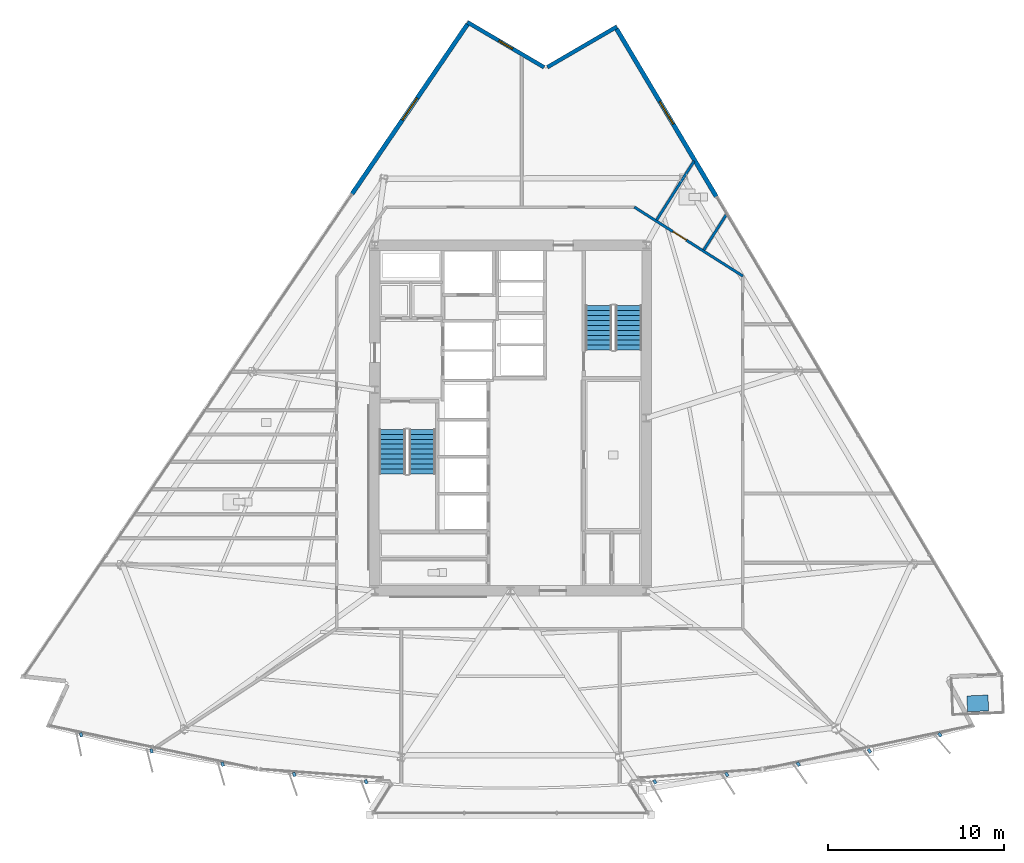
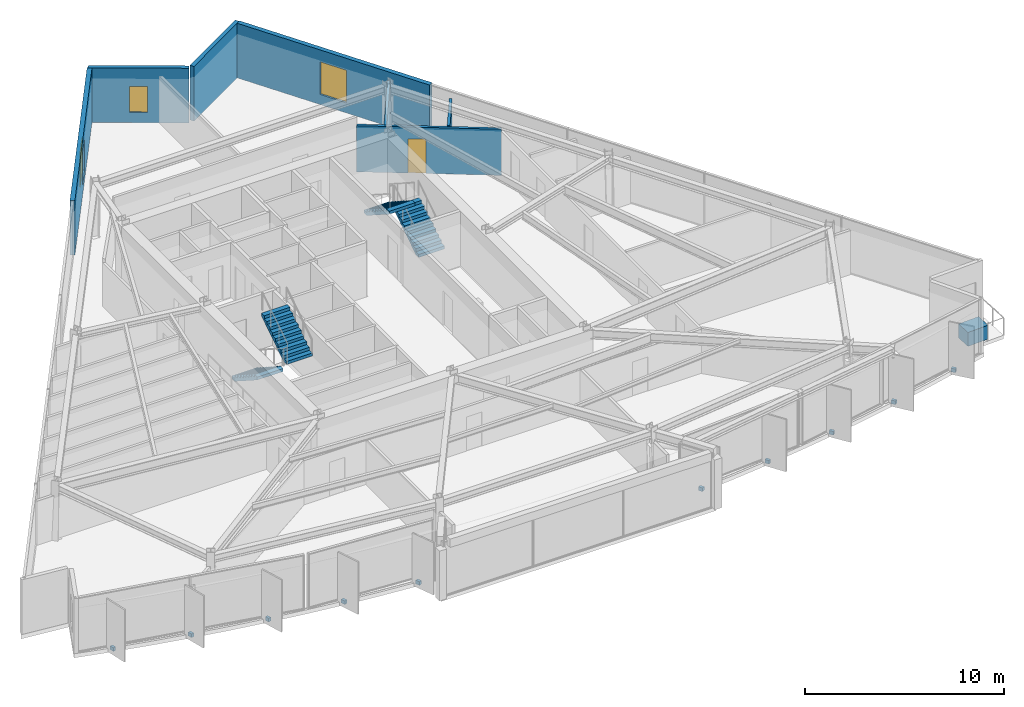
# One storey, part 10 of 15: 11 discrete accessories, 7 walls, 4 stair flights, 3 windows, 1 door, 4 openings, 2 elements without a shape of their own.
"""IFC4 building model written with IfcOpenShell, lengths in metres."""

from ifc_helpers import new_model, si_unit, direction, frame, frame_2d, origin, origin_2d, place, context, subcontext, project, spatial, polyline, rectangle, outline, extrude, material, layer, layer_set, type_object, element, fill, aggregate, save


model = new_model("IFC4")

# Units and contexts
model_context = context("Model", 3, precision=1e-05, world=origin(), true_north=direction((0.0, 1.0)))
body_context = subcontext(model_context, "Body", "Model", "MODEL_VIEW")
ifc_project = project(units=[si_unit("LENGTHUNIT", "METRE"), si_unit("AREAUNIT", "SQUARE_METRE"), si_unit("VOLUMEUNIT", "CUBIC_METRE"), si_unit("PLANEANGLEUNIT", "RADIAN"), si_unit("MASSUNIT", "GRAM", prefix="KILO")], contexts=[model_context])

# Site, building, storey
site_placement = place(None, origin())
site = spatial("IfcSite", under=ifc_project, at=site_placement, CompositionType="ELEMENT")
building_placement = place(site_placement, origin())
building = spatial("IfcBuilding", under=site, at=building_placement, Name="Savorim Split Tower", CompositionType="ELEMENT")
storey_placement = place(building_placement, frame((0.0, 0.0, 118.5)))
storey = spatial("IfcBuildingStorey", under=building, at=storey_placement, Name="L31", CompositionType="ELEMENT", Elevation=118.5)

# Wall
ifc_material_1 = material(Name="Precast concrete C40/50", Category="concrete")
ifc_layer_1 = layer(ifc_material_1, 0.219970703125)
ifc_layer_set_1 = layer_set([ifc_layer_1], Name="WAL-EXT-CRN220")
wall_type_1 = type_object("IfcWallType", Name="WAL-EXT-CRN220", PredefinedType="SOLIDWALL", material=ifc_layer_set_1)
wall_1_placement = place(storey_placement, frame((2.090087890625, 20.290771484375, 0.0), z_axis=(0.0, 0.0, 1.0), x_axis=(0.863978647835, 0.503528446153, 0.0)))
element("IfcWall", 1, at=wall_1_placement, inside=storey, type_object=wall_type_1, Name="L31 Notched Corner Facade Wall NE1", PredefinedType="SOLIDWALL", context=body_context, shape_type="SweptSolid", body=[
    extrude(rectangle(XDim=4.564453125, YDim=0.219970703125, at=frame_2d((2.2822265625, 0.0))), origin(), (0.0, 0.0, 1.0), 3.35009765625),
])

# Wall, opening, window
wall_2_placement = place(storey_placement, frame((-2.447021484375, 22.845703125, 0.0), z_axis=(0.0, 0.0, 1.0), x_axis=(0.8621357974, -0.506677280763, 0.0)))
wall_2 = element("IfcWall", 2, at=wall_2_placement, inside=storey, type_object=wall_type_1, Name="L31 Notched Corner Facade Wall N", PredefinedType="SOLIDWALL", context=body_context, shape_type="SweptSolid", body=[
    extrude(rectangle(XDim=5.0419921875, YDim=0.219970703125, at=frame_2d((2.52099609375, 0.0))), origin(), (0.0, 0.0, 1.0), 3.35009765625),
])
opening_1_placement = place(wall_2_placement, frame((2.071044921875, 0.0, 0.6201171875)))
opening_1 = element("IfcOpeningElement", 3, at=opening_1_placement, cuts=wall_2, Name="Opening WN-10", PredefinedType="OPENING", context=body_context, shape_type="SweptSolid", body=[
    extrude(rectangle(XDim=0.89990234375, YDim=1.60009765625, at=frame_2d((0.449951171875, 0.800048828125))), frame((0.0, 0.119873046875, 0.0), z_axis=(0.0, -1.0, 0.0), x_axis=(1.0, 0.0, 0.0)), (0.0, 0.0, 1.0), 0.239990234375),
])
ifc_material_2 = material(Name="Low-E Operable Double Glazing", Category="glass")
window_type_1 = type_object("IfcWindowType", Name="WIN-TWR-900x1600", PartitioningType="SINGLE_PANEL", PredefinedType="WINDOW", material=ifc_material_2)
window_1_placement = place(opening_1_placement, origin())
window_1 = element("IfcWindow", 4, at=window_1_placement, inside=storey, type_object=window_type_1, Name="L31 Operable Corner Window N", OverallHeight=1.60009765625, OverallWidth=0.89990234375, PartitioningType="SINGLE_PANEL", PredefinedType="WINDOW", context=body_context, shape_type="SweptSolid", body=[
    extrude(rectangle(XDim=0.89990234375, YDim=1.60009765625, at=frame_2d((0.449951171875, 0.800048828125))), frame((0.0, 0.030029296875, 0.0), z_axis=(0.0, -1.0, 0.0), x_axis=(1.0, 0.0, 0.0)), (0.0, 0.0, 1.0), 0.06005859375),
])
fill(opening_1, window_1)

ifc_layer_2 = layer(ifc_material_1, 0.25)
ifc_layer_set_2 = layer_set([ifc_layer_2], Name="WAL-EXT-SPN250")
wall_type_2 = type_object("IfcWallType", Name="WAL-EXT-SPN250", PredefinedType="SOLIDWALL", material=ifc_layer_set_2)
wall_3_placement = place(storey_placement, frame((6.01708984375, 22.46240234375, 0.0), z_axis=(0.0, 0.0, 1.0), x_axis=(0.511085523564, -0.859529864288, 0.0)))
wall_3 = element("IfcWall", 5, at=wall_3_placement, inside=storey, type_object=wall_type_2, Name="L31 East Operable Window Pier", PredefinedType="SOLIDWALL", context=body_context, shape_type="SweptSolid", body=[
    extrude(rectangle(XDim=11.067626953125, YDim=0.25, at=frame_2d((5.53369140625, 0.0))), origin(), (0.0, 0.0, 1.0), 3.35009765625),
])
opening_2_placement = place(wall_3_placement, frame((4.78369140625, 0.0, 0.6201171875)))
opening_2 = element("IfcOpeningElement", 6, at=opening_2_placement, cuts=wall_3, Name="Opening WN-06", PredefinedType="OPENING", context=body_context, shape_type="SweptSolid", body=[
    extrude(rectangle(XDim=1.5, YDim=2.0, at=frame_2d((0.75, 1.0))), frame((0.0, 0.135009765625, 0.0), z_axis=(0.0, -1.0, 0.0), x_axis=(1.0, 0.0, 0.0)), (0.0, 0.0, 1.0), 0.27001953125),
])
window_type_2 = type_object("IfcWindowType", Name="WIN-TWR-1500x2000", PartitioningType="SINGLE_PANEL", PredefinedType="WINDOW", material=ifc_material_2)
window_2_placement = place(opening_2_placement, origin())
window_2 = element("IfcWindow", 7, at=window_2_placement, inside=storey, type_object=window_type_2, Name="L31 East Operable Ventilation Window", OverallHeight=2.0, OverallWidth=1.5, PartitioningType="SINGLE_PANEL", PredefinedType="WINDOW", context=body_context, shape_type="SweptSolid", body=[
    extrude(rectangle(XDim=1.5, YDim=2.0, at=frame_2d((0.75, 1.0))), frame((0.0, 0.030029296875, 0.0), z_axis=(0.0, -1.0, 0.0), x_axis=(1.0, 0.0, 0.0)), (0.0, 0.0, 1.0), 0.06005859375),
])
fill(opening_2, window_2)

wall_4_placement = place(storey_placement, frame((-8.98388671875, 13.1083984375, 0.0), z_axis=(0.0, 0.0, 1.0), x_axis=(0.562459365703, 0.826824928225, 0.0)))
wall_4 = element("IfcWall", 8, at=wall_4_placement, inside=storey, type_object=wall_type_2, Name="L31 West Operable Window Pier", PredefinedType="SOLIDWALL", context=body_context, shape_type="SweptSolid", body=[
    extrude(rectangle(XDim=11.625, YDim=0.25, at=frame_2d((5.8125, 0.0))), origin(), (0.0, 0.0, 1.0), 3.35009765625),
])
opening_3_placement = place(wall_4_placement, frame((5.0625, 0.0, 0.6201171875)))
opening_3 = element("IfcOpeningElement", 9, at=opening_3_placement, cuts=wall_4, Name="Opening WN-06", PredefinedType="OPENING", context=body_context, shape_type="SweptSolid", body=[
    extrude(rectangle(XDim=1.5, YDim=2.0, at=frame_2d((0.75, 1.0))), frame((0.0, 0.135009765625, 0.0), z_axis=(0.0, -1.0, 0.0), x_axis=(1.0, 0.0, 0.0)), (0.0, 0.0, 1.0), 0.27001953125),
])
window_3_placement = place(opening_3_placement, origin())
window_3 = element("IfcWindow", 10, at=window_3_placement, inside=storey, type_object=window_type_2, Name="L31 West Operable Ventilation Window", OverallHeight=2.0, OverallWidth=1.5, PartitioningType="SINGLE_PANEL", PredefinedType="WINDOW", context=body_context, shape_type="SweptSolid", body=[
    extrude(rectangle(XDim=1.5, YDim=2.0, at=frame_2d((0.75, 1.0))), frame((0.0, 0.030029296875, 0.0), z_axis=(0.0, -1.0, 0.0), x_axis=(1.0, 0.0, 0.0)), (0.0, 0.0, 1.0), 0.06005859375),
])
fill(opening_3, window_3)

# Wall, opening, door
ifc_material_3 = material(Name="Acoustic Gypsum Partition Board")
ifc_layer_3 = layer(ifc_material_3, 0.14990234375)
ifc_layer_set_3 = layer_set([ifc_layer_3], Name="WAL-PAR-150")
wall_type_3 = type_object("IfcWallType", Name="WAL-PAR-150", PredefinedType="PARTITIONING", material=ifc_layer_set_3)
wall_5_placement = place(storey_placement, frame((7.023193359375, 12.360107421875, 0.0), z_axis=(0.0, 0.0, 1.0), x_axis=(0.84376480085, -0.536713108511, 0.0)))
wall_5 = element("IfcWall", 11, at=wall_5_placement, inside=storey, type_object=wall_type_3, Name="L31 Partition W-L31-COR-04", PredefinedType="PARTITIONING", context=body_context, shape_type="SweptSolid", body=[
    extrude(rectangle(XDim=7.296630859375, YDim=0.14990234375, at=frame_2d((3.6484375, 0.0))), origin(), (0.0, 0.0, 1.0), 2.824951171875),
])
opening_4_placement = place(wall_5_placement, frame((2.595458984375, 0.0, 0.0)))
opening_4 = element("IfcOpeningElement", 12, at=opening_4_placement, cuts=wall_5, Name="Opening DI-11", PredefinedType="OPENING", context=body_context, shape_type="SweptSolid", body=[
    extrude(rectangle(XDim=0.89990234375, YDim=2.10009765625, at=frame_2d((0.449951171875, 1.050048828125))), frame((0.0, 0.0849609375, 0.0), z_axis=(0.0, -1.0, 0.0), x_axis=(1.0, 0.0, 0.0)), (0.0, 0.0, 1.0), 0.169921875),
])
ifc_material_4 = material(Name="Oak Veneer Acoustic Door")
door_type = type_object("IfcDoorType", Name="DOR-WC-900", OperationType="NOTDEFINED", PredefinedType="DOOR", material=ifc_material_4)
door_placement = place(opening_4_placement, origin())
door = element("IfcDoor", 13, at=door_placement, inside=storey, type_object=door_type, Name="DR-L31-RM16 - L31 Shared Bathroom Entry Door", OperationType="SINGLE_SWING_LEFT", OverallHeight=2.10009765625, OverallWidth=0.89990234375, PredefinedType="DOOR", context=body_context, shape_type="SweptSolid", body=[
    extrude(rectangle(XDim=0.89990234375, YDim=2.10009765625, at=frame_2d((0.449951171875, 1.050048828125))), frame((0.0, 0.02490234375, 0.0), z_axis=(0.0, -1.0, 0.0), x_axis=(1.0, 0.0, 0.0)), (0.0, 0.0, 1.0), 0.050048828125),
])
fill(opening_4, door)

# Walls
wall_6_placement = place(storey_placement, frame((8.28759765625, 11.626953125, 0.0), z_axis=(0.0, 0.0, 1.0), x_axis=(0.536668135248, 0.843793406356, 0.0)))
element("IfcWall", 14, at=wall_6_placement, inside=storey, type_object=wall_type_3, Name="L31 Partition W-L31-PRAD07", PredefinedType="PARTITIONING", context=body_context, shape_type="SweptSolid", body=[
    extrude(rectangle(XDim=3.9619140625, YDim=0.14990234375, at=frame_2d((1.98095703125, 0.0))), origin(), (0.0, 0.0, 1.0), 2.824951171875),
])
wall_7_placement = place(storey_placement, frame((10.962890625, 9.92529296875, 0.0), z_axis=(0.0, 0.0, 1.0), x_axis=(0.536667979265, 0.843793505564, 0.0)))
element("IfcWall", 15, at=wall_7_placement, inside=storey, type_object=wall_type_3, Name="L31 Partition W-L31-SUB02", PredefinedType="PARTITIONING", context=body_context, shape_type="SweptSolid", body=[
    extrude(rectangle(XDim=2.360107421875, YDim=0.14990234375, at=frame_2d((1.18017578125, 0.0))), origin(), (0.0, 0.0, 1.0), 2.885009765625),
])

# Stair, stair flights
ifc_material_5 = material(Name="Concrete C50/60", Category="concrete")
stair_type = type_object("IfcStairType", Name="STR-DOG-3600", PredefinedType="HALF_TURN_STAIR", material=ifc_material_5)
stair_1_placement = place(storey_placement, origin())
stair_1 = element("IfcStair", 16, at=stair_1_placement, inside=storey, type_object=stair_type, Name="L31 Core Protected Exit Stair ST-1", PredefinedType="HALF_TURN_STAIR")
stair_flight_type = type_object("IfcStairFlightType", Name="SFL-DOG-3600", PredefinedType="STRAIGHT", material=ifc_material_5)
stair_flight_1_placement = place(storey_placement, frame((-6.699951171875, -0.25, 0.0), z_axis=(0.0, 0.0, 1.0), x_axis=(0.0, -1.0, 0.0)))
stair_flight_1 = element("IfcStairFlight", 17, at=stair_flight_1_placement, type_object=stair_flight_type, Name="ST-1 flight 1", NumberOfRisers=10, NumberOfTreads=9, PredefinedType="STRAIGHT", RiserHeight=0.18, TreadLength=0.28, context=body_context, shape_type="SweptSolid", body=[
    extrude(outline(polyline([(0.0, 0.0), (0.0, 0.179931640625), (0.280029296875, 0.179931640625), (0.280029296875, 0.360107421875), (0.56005859375, 0.360107421875), (0.56005859375, 0.5400390625), (0.840087890625, 0.5400390625), (0.840087890625, 0.719970703125), (1.1201171875, 0.719970703125), (1.1201171875, 0.89990234375), (1.39990234375, 0.89990234375), (1.39990234375, 1.080078125), (1.679931640625, 1.080078125), (1.679931640625, 1.260009765625), (1.9599609375, 1.260009765625), (1.9599609375, 1.43994140625), (2.239990234375, 1.43994140625), (2.239990234375, 1.6201171875), (2.52001953125, 1.6201171875), (2.52001953125, 1.800048828125), (2.52001953125, 1.44189453125), (0.277099609375, 0.0), (0.0, 0.0)])), frame((0.0, 0.75, 0.0), z_axis=(0.0, -1.0, 0.0), x_axis=(1.0, 0.0, 0.0)), (0.0, 0.0, 1.0), 1.5),
])
stair_flight_2_placement = place(storey_placement, frame((-5.0, -2.77001953125, 1.800048828125), z_axis=(0.0, 0.0, 1.0), x_axis=(0.0, 1.0, 0.0)))
stair_flight_2 = element("IfcStairFlight", 18, at=stair_flight_2_placement, type_object=stair_flight_type, Name="ST-1 flight 2", NumberOfRisers=10, NumberOfTreads=9, PredefinedType="STRAIGHT", RiserHeight=0.18, TreadLength=0.28, context=body_context, shape_type="SweptSolid", body=[
    extrude(outline(polyline([(0.0, 0.0), (0.0, 0.179931640625), (0.280029296875, 0.179931640625), (0.280029296875, 0.360107421875), (0.56005859375, 0.360107421875), (0.56005859375, 0.5400390625), (0.840087890625, 0.5400390625), (0.840087890625, 0.719970703125), (1.1201171875, 0.719970703125), (1.1201171875, 0.89990234375), (1.39990234375, 0.89990234375), (1.39990234375, 1.080078125), (1.679931640625, 1.080078125), (1.679931640625, 1.260009765625), (1.9599609375, 1.260009765625), (1.9599609375, 1.43994140625), (2.239990234375, 1.43994140625), (2.239990234375, 1.6201171875), (2.52001953125, 1.6201171875), (2.52001953125, 1.800048828125), (2.52001953125, 1.44189453125), (0.277099609375, 0.0), (0.0, 0.0)])), frame((0.0, 0.75, 0.0), z_axis=(0.0, -1.0, 0.0), x_axis=(1.0, 0.0, 0.0)), (0.0, 0.0, 1.0), 1.5),
])
aggregate(stair_1, [stair_flight_1, stair_flight_2])

stair_2_placement = place(storey_placement, origin())
stair_2 = element("IfcStair", 19, at=stair_2_placement, inside=storey, type_object=stair_type, Name="L31 Core Protected Exit Stair ST-2", PredefinedType="HALF_TURN_STAIR")
stair_flight_3_placement = place(storey_placement, frame((6.699951171875, 4.25, 0.0), z_axis=(0.0, 0.0, 1.0), x_axis=(0.0, 1.0, 0.0)))
stair_flight_3 = element("IfcStairFlight", 20, at=stair_flight_3_placement, type_object=stair_flight_type, Name="ST-2 flight 1", NumberOfRisers=10, NumberOfTreads=9, PredefinedType="STRAIGHT", RiserHeight=0.18, TreadLength=0.28, context=body_context, shape_type="SweptSolid", body=[
    extrude(outline(polyline([(0.0, 0.0), (0.0, 0.179931640625), (0.280029296875, 0.179931640625), (0.280029296875, 0.360107421875), (0.56005859375, 0.360107421875), (0.56005859375, 0.5400390625), (0.840087890625, 0.5400390625), (0.840087890625, 0.719970703125), (1.1201171875, 0.719970703125), (1.1201171875, 0.89990234375), (1.39990234375, 0.89990234375), (1.39990234375, 1.080078125), (1.679931640625, 1.080078125), (1.679931640625, 1.260009765625), (1.9599609375, 1.260009765625), (1.9599609375, 1.43994140625), (2.239990234375, 1.43994140625), (2.239990234375, 1.6201171875), (2.52001953125, 1.6201171875), (2.52001953125, 1.800048828125), (2.52001953125, 1.44189453125), (0.277099609375, 0.0), (0.0, 0.0)])), frame((0.0, 0.75, 0.0), z_axis=(0.0, -1.0, 0.0), x_axis=(1.0, 0.0, 0.0)), (0.0, 0.0, 1.0), 1.5),
])
stair_flight_4_placement = place(storey_placement, frame((5.0, 6.77001953125, 1.800048828125), z_axis=(0.0, 0.0, 1.0), x_axis=(0.0, -1.0, 0.0)))
stair_flight_4 = element("IfcStairFlight", 21, at=stair_flight_4_placement, type_object=stair_flight_type, Name="ST-2 flight 2", NumberOfRisers=10, NumberOfTreads=9, PredefinedType="STRAIGHT", RiserHeight=0.18, TreadLength=0.28, context=body_context, shape_type="SweptSolid", body=[
    extrude(outline(polyline([(0.0, 0.0), (0.0, 0.179931640625), (0.280029296875, 0.179931640625), (0.280029296875, 0.360107421875), (0.56005859375, 0.360107421875), (0.56005859375, 0.5400390625), (0.840087890625, 0.5400390625), (0.840087890625, 0.719970703125), (1.1201171875, 0.719970703125), (1.1201171875, 0.89990234375), (1.39990234375, 0.89990234375), (1.39990234375, 1.080078125), (1.679931640625, 1.080078125), (1.679931640625, 1.260009765625), (1.9599609375, 1.260009765625), (1.9599609375, 1.43994140625), (2.239990234375, 1.43994140625), (2.239990234375, 1.6201171875), (2.52001953125, 1.6201171875), (2.52001953125, 1.800048828125), (2.52001953125, 1.44189453125), (0.277099609375, 0.0), (0.0, 0.0)])), frame((0.0, 0.75, 0.0), z_axis=(0.0, -1.0, 0.0), x_axis=(1.0, 0.0, 0.0)), (0.0, 0.0, 1.0), 1.5),
])
aggregate(stair_2, [stair_flight_3, stair_flight_4])

# Discrete accessories
ifc_material_6 = material(Name="Steel S355", Category="steel")
discrete_accessory_type_1 = type_object("IfcDiscreteAccessoryType", Name="ACC-BRK-FIN", PredefinedType="BRACKET", material=ifc_material_6)
for number, where, z_axis, x_axis, name in (
    (22, (-24.35107421875, -17.566162109375, -0.18994140625), (0.0, 0.0, 1.0), (0.206721626106, -0.978399800337, 0.0), "L31 Fin Slab-Edge Cleat Bracket 01"),
    (23, (-20.355224609375, -18.481201171875, -0.18994140625), (0.0, 0.0, 1.0), (0.246581250663, -0.969122121727, 0.0), "L31 Fin Slab-Edge Cleat Bracket 02"),
    (24, (-16.3251953125, -19.23193359375, -0.18994140625), (0.0, 0.0, 1.0), (0.286026212504, -0.958221793616, 0.0), "L31 Fin Slab-Edge Cleat Bracket 03"),
    (25, (-12.267822265625, -19.817138671875, -0.18994140625), (0.0, 0.0, 1.0), (0.324993810493, -0.945716143005, 0.0), "L31 Fin Slab-Edge Cleat Bracket 04"),
    (26, (-8.18994140625, -20.23583984375, -0.18994140625), (0.0, 0.0, 1.0), (0.363415461732, -0.931627179817, 0.0), "L31 Fin Slab-Edge Cleat Bracket 05"),
    (27, (8.18994140625, -20.23583984375, -0.18994140625), (0.0, 0.0, 1.0), (0.510391336723, -0.859942255851, 0.0), "L31 Fin Slab-Edge Cleat Bracket 09"),
    (28, (12.267822265625, -19.817138671875, -0.18994140625), (0.0, 0.0, 1.0), (0.545148321708, -0.838339613366, 0.0), "L31 Fin Slab-Edge Cleat Bracket 10"),
    (29, (16.3251953125, -19.23193359375, -0.18994140625), (0.0, 0.0, 1.0), (0.578993757737, -0.815331974414, 0.0), "L31 Fin Slab-Edge Cleat Bracket 11"),
    (30, (20.355224609375, -18.481201171875, -0.18994140625), (0.0, 0.0, 1.0), (0.611868076908, -0.790959832394, 0.0), "L31 Fin Slab-Edge Cleat Bracket 12"),
    (31, (24.35107421875, -17.566162109375, -0.18994140625), (0.0, 0.0, 1.0), (0.643719022682, -0.765261928909, 0.0), "L31 Fin Slab-Edge Cleat Bracket 13"),
):
    element("IfcDiscreteAccessory", number, at=place(storey_placement, frame(where, z_axis=z_axis, x_axis=x_axis)), inside=storey, type_object=discrete_accessory_type_1, Name=name, PredefinedType="BRACKET", context=body_context, shape_type="SweptSolid", body=[
        extrude(rectangle(XDim=0.239990234375, YDim=0.159912109375, at=origin_2d()), origin(), (0.0, 0.0, 1.0), 0.219970703125),
    ])
ifc_material_7 = material(Name="Architectural Precast Planter Concrete C40/50", Category="concrete")
discrete_accessory_type_2 = type_object("IfcDiscreteAccessoryType", Name="ACC-PLN-TREE", PredefinedType="USERDEFINED", material=ifc_material_7)
discrete_accessory_placement = place(storey_placement, frame((26.499267578125, -15.7880859375, 0.0), z_axis=(0.0, 0.0, 1.0), x_axis=(0.999096618338, 0.042496437801, 0.0)))
element("IfcDiscreteAccessory", 32, at=discrete_accessory_placement, inside=storey, type_object=discrete_accessory_type_2, Name="L31 Balcony Precast Tree Planter SE", ObjectType="PLANTER", PredefinedType="USERDEFINED", context=body_context, shape_type="SweptSolid", body=[
    extrude(rectangle(XDim=1.199951171875, YDim=0.89990234375, at=origin_2d()), origin(), (0.0, 0.0, 1.0), 0.85009765625),
])

save(model, "model.ifc")
